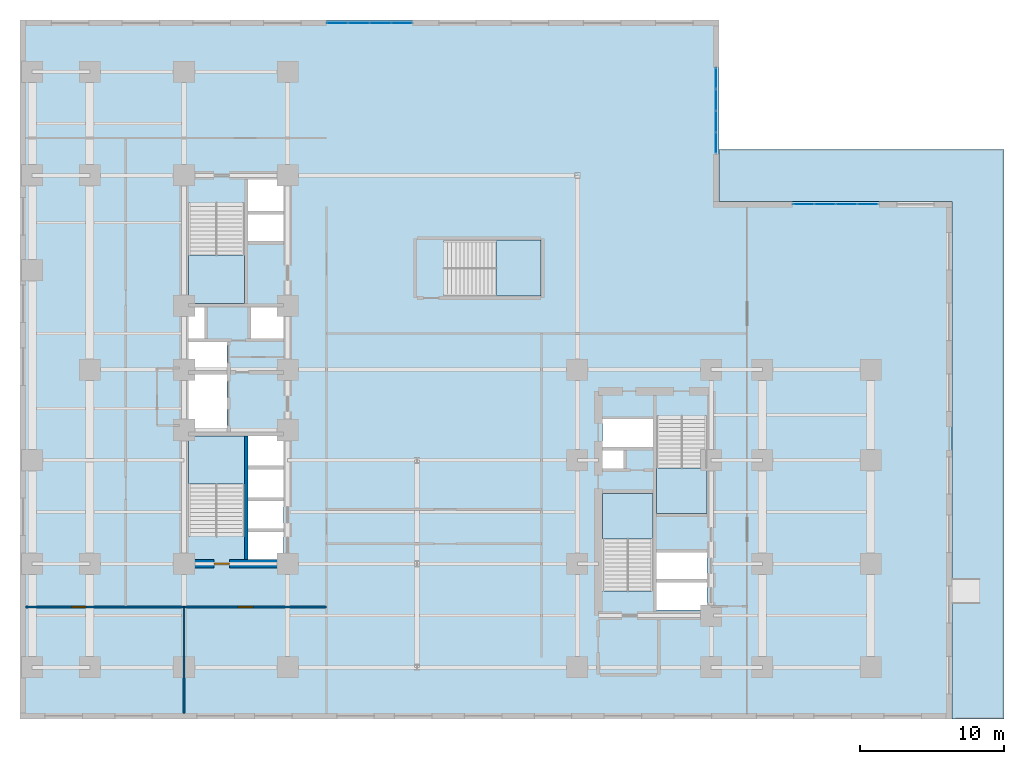
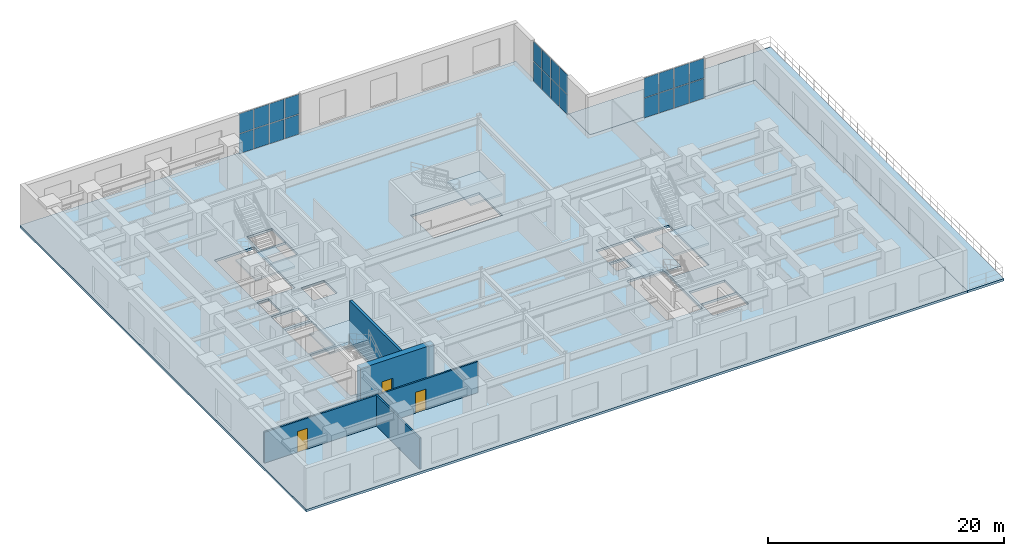
# One storey, part 7 of 15: 24 plates, 7 slabs, 4 walls, 3 doors, 3 openings, 8 elements without a shape of their own.
"""IFC4 building model written with IfcOpenShell, lengths in metres."""

import ifcopenshell
import ifcopenshell.guid

model = None  # the IFC model being written
_history = None  # IfcOwnerHistory: only IFC2X3 demands one
_inside = {}  # id of a spatial element -> (the spatial element, [elements in it])
_under = {}  # id of a project, library or spatial element -> (it, [spatial elements below it])
_declared = {}  # id of a project -> (the project, [libraries it declares])
_typed = {}  # id of a type object -> (the type object, [elements of that type])
_made_of = {}  # id of a material, layer set ... -> (it, [elements and type objects made of it])


def new_model(schema):
    """Start an empty IFC model of exactly this schema.

    Asked for "IFC4X3", IfcOpenShell would pick the latest addendum, in which some entities
    have other attributes; the version numbers below select the first issue.
    IFC2X3 requires an IfcOwnerHistory on every rooted entity: one is made here for all.
    """
    global model, _history
    if schema == "IFC4X3":
        model = ifcopenshell.file(schema_version=(4, 3, 0, 0))
    else:
        model = ifcopenshell.file(schema=schema)
    _inside.clear()
    _under.clear()
    _declared.clear()
    _typed.clear()
    _made_of.clear()
    _history = None
    if model.schema == "IFC2X3":
        org = make("IfcOrganization", Name="unknown")
        user = make(
            "IfcPersonAndOrganization",
            ThePerson=make("IfcPerson", FamilyName="unknown"),
            TheOrganization=org,
        )
        app = make(
            "IfcApplication",
            ApplicationDeveloper=org,
            Version="unknown",
            ApplicationFullName="unknown",
            ApplicationIdentifier="unknown",
        )
        _history = make(
            "IfcOwnerHistory",
            OwningUser=user,
            OwningApplication=app,
            ChangeAction="ADDED",
            CreationDate=0,
        )
    return model


def make(cls, **values):
    """One entity of the class cls with the attributes given. An attribute that is None is left unset."""
    return model.create_entity(
        cls, **{name: value for name, value in values.items() if value is not None}
    )


def entity(cls, *values):
    """Any entity or typed value of the class cls, its attributes in the order of the schema. None: left unset."""
    e = model.create_entity(cls)
    for i, value in enumerate(values):
        if value is not None:
            e[i] = value
    return e


def rooted(cls, **values):
    """An entity with a GlobalId (a new one), such as an element, a storey or a relation."""
    return make(cls, GlobalId=ifcopenshell.guid.new(), OwnerHistory=_history, **values)


def si_unit(unit_type, name, prefix=None):
    """IfcSIUnit, for example si_unit("LENGTHUNIT", "METRE", prefix="MILLI")."""
    return make("IfcSIUnit", UnitType=unit_type, Prefix=prefix, Name=name)


def converted_unit(unit_type, name, factor, base, dimensions=None, offset=None):
    """IfcConversionBasedUnit, such as the inch: factor (a typed value) times the base unit."""
    return make(
        "IfcConversionBasedUnit"
        if offset is None
        else "IfcConversionBasedUnitWithOffset",
        ConversionOffset=offset,
        Dimensions=None
        if dimensions is None
        else entity("IfcDimensionalExponents", *dimensions),
        UnitType=unit_type,
        Name=name,
        ConversionFactor=make(
            "IfcMeasureWithUnit", ValueComponent=factor, UnitComponent=base
        ),
    )


def assignment(units):
    """IfcUnitAssignment: the units of a project."""
    return None if units is None else make("IfcUnitAssignment", Units=units)


def point(xyz):
    """IfcCartesianPoint."""
    return None if xyz is None else make("IfcCartesianPoint", Coordinates=xyz)


def direction(xyz):
    """IfcDirection."""
    return None if xyz is None else make("IfcDirection", DirectionRatios=xyz)


def frame(location, z_axis=None, x_axis=None):
    """IfcAxis2Placement3D, a coordinate frame: its origin and axes. An axis left out is left unset."""
    return make(
        "IfcAxis2Placement3D",
        Location=point(location),
        Axis=direction(z_axis),
        RefDirection=direction(x_axis),
    )


def frame_2d(location, x_axis=None):
    """IfcAxis2Placement2D, a coordinate frame in the plane: its origin and x axis."""
    return make(
        "IfcAxis2Placement2D", Location=point(location), RefDirection=direction(x_axis)
    )


def origin_with_axes():
    """The frame at (0, 0, 0) with the z axis (0, 0, 1) and the x axis (1, 0, 0) written out."""
    return frame((0.0, 0.0, 0.0), z_axis=(0.0, 0.0, 1.0), x_axis=(1.0, 0.0, 0.0))


def origin_2d_with_axis():
    """The frame at (0, 0) in the plane with the x axis (1, 0) written out."""
    return frame_2d((0.0, 0.0), x_axis=(1.0, 0.0))


def place(relative_to, where):
    """IfcLocalPlacement: puts the frame where relative to a parent placement (None: the world)."""
    return make(
        "IfcLocalPlacement", PlacementRelTo=relative_to, RelativePlacement=where
    )


def context(
    kind, dimensions, precision=None, world=None, true_north=None, identifier=None
):
    """IfcGeometricRepresentationContext, for example the 3D "Model" context."""
    return make(
        "IfcGeometricRepresentationContext",
        ContextIdentifier=identifier,
        ContextType=kind,
        CoordinateSpaceDimension=dimensions,
        Precision=precision,
        WorldCoordinateSystem=world,
        TrueNorth=true_north,
    )


def subcontext(parent, identifier, kind, view, scale=None):
    """IfcGeometricRepresentationSubContext, for example "Body" below "Model"."""
    return make(
        "IfcGeometricRepresentationSubContext",
        ContextIdentifier=identifier,
        ContextType=kind,
        ParentContext=parent,
        TargetScale=scale,
        TargetView=view,
    )


def project(units=None, contexts=None):
    """IfcProject with its units and contexts."""
    return rooted(
        "IfcProject",
        Name="project",
        RepresentationContexts=contexts,
        UnitsInContext=assignment(units),
    )


def spatial(cls, under=None, at=None, **own):
    """A site, building, storey or space (cls), placed at a placement, below another one or the project."""
    s = rooted(cls, ObjectPlacement=at, **own)
    if under is not None:
        _under.setdefault(under.id(), (under, []))[1].append(s)
    return s


def polyline(points):
    """IfcPolyline through the points."""
    return make("IfcPolyline", Points=[point(p) for p in points])


def profile(cls, at=None, kind="AREA", **sizes):
    """A parametric profile (cls). Its sizes go by their IFC names, for example OverallWidth=200.0."""
    return make(cls, ProfileType=kind, Position=at, **sizes)


def rectangle(**sizes):
    """IfcRectangleProfileDef."""
    return profile("IfcRectangleProfileDef", **sizes)


def outline(outer, holes=None, kind="AREA"):
    """IfcArbitraryClosedProfileDef: a profile drawn as a closed curve; with holes, ...WithVoids."""
    if holes is None:
        return make("IfcArbitraryClosedProfileDef", ProfileType=kind, OuterCurve=outer)
    return make(
        "IfcArbitraryProfileDefWithVoids",
        ProfileType=kind,
        OuterCurve=outer,
        InnerCurves=holes,
    )


def extrude(swept, where, along, depth):
    """IfcExtrudedAreaSolid: the profile swept, set in the frame where, extruded along a direction by depth."""
    return make(
        "IfcExtrudedAreaSolid",
        SweptArea=swept,
        Position=where,
        ExtrudedDirection=direction(along),
        Depth=depth,
    )


def shape(context_of_items, identifier, shape_type, items):
    """IfcShapeRepresentation: the items that make up one representation, for example the "Body"."""
    return make(
        "IfcShapeRepresentation",
        ContextOfItems=context_of_items,
        RepresentationIdentifier=identifier,
        RepresentationType=shape_type,
        Items=items,
    )


def material(Name=None, Category=None):
    """IfcMaterial."""
    return make("IfcMaterial", Name=Name, Category=Category)


def layer(
    of_material, thickness, ventilated=None, Name=None, Category=None, Priority=None
):
    """IfcMaterialLayer: one layer of a wall or slab, of a material (None: an air gap)."""
    return make(
        "IfcMaterialLayer",
        Material=of_material,
        LayerThickness=thickness,
        IsVentilated=ventilated,
        Name=Name,
        Category=Category,
        Priority=Priority,
    )


def layer_set(layers, Name=None):
    """IfcMaterialLayerSet."""
    return make("IfcMaterialLayerSet", MaterialLayers=layers, LayerSetName=Name)


def made_of(thing, what):
    """Note that an element or type object is made of a material, layer set ...; save() writes the relation."""
    if what is not None:
        _made_of.setdefault(what.id(), (what, []))[1].append(thing)
    return thing


def type_object(cls, material=None, **own):
    """A type object (cls), such as IfcWallType, which elements share."""
    return made_of(rooted(cls, **own), material)


def element(
    cls,
    number,
    at=None,
    inside=None,
    cuts=None,
    type_object=None,
    material=None,
    context=None,
    identifier="Body",
    shape_type=None,
    held_by="IfcProductDefinitionShape",
    body=None,
    shapes=None,
    **own,
):
    """One element of the class cls, such as IfcWall. Its Tag is "e" and its number.

    at: its placement. inside: the storey or other place that contains it. cuts: it is an
    opening in that element (IfcRelVoidsElement). A single representation is given by context,
    identifier, shape_type and body (its items); several are given by shapes. held_by: the class
    of the entity that holds the representations. save() writes the other relations.
    """
    e = rooted(cls, Tag="e%d" % number, ObjectPlacement=at, **own)
    if body is not None:
        shapes = [shape(context, identifier, shape_type, body)]
    if shapes is not None:
        e.Representation = make(held_by, Representations=shapes)
    if inside is not None:
        _inside.setdefault(inside.id(), (inside, []))[1].append(e)
    if cuts is not None:
        rooted(
            "IfcRelVoidsElement", RelatingBuildingElement=cuts, RelatedOpeningElement=e
        )
    if type_object is not None:
        _typed.setdefault(type_object.id(), (type_object, []))[1].append(e)
    return made_of(e, material)


def fill(opening, filler):
    """IfcRelFillsElement: the door or window that sits in an opening."""
    return rooted(
        "IfcRelFillsElement",
        RelatingOpeningElement=opening,
        RelatedBuildingElement=filler,
    )


def aggregate(whole, parts):
    """IfcRelAggregates: a whole, such as a stair, and the parts it consists of."""
    return rooted("IfcRelAggregates", RelatingObject=whole, RelatedObjects=parts)


def save(model, path):
    """Write the relations noted so far, then the file.

    IfcRelAggregates (storeys below a building ...), IfcRelContainedInSpatialStructure (elements
    in a storey), IfcRelDefinesByType, IfcRelAssociatesMaterial and IfcRelDeclares: one each for
    every whole, place, type object, material and project.
    """
    for whole, parts in _under.values():
        aggregate(whole, parts)
    for where, things in _inside.values():
        rooted(
            "IfcRelContainedInSpatialStructure",
            RelatedElements=things,
            RelatingStructure=where,
        )
    for kind, things in _typed.values():
        rooted("IfcRelDefinesByType", RelatedObjects=things, RelatingType=kind)
    for what, things in _made_of.values():
        rooted("IfcRelAssociatesMaterial", RelatedObjects=things, RelatingMaterial=what)
    for by, libraries in _declared.values():
        rooted("IfcRelDeclares", RelatingContext=by, RelatedDefinitions=libraries)
    model.write(path)


model = new_model("IFC4")

# Units and contexts
model_context = context("Model", 3, precision=1e-05, world=origin_with_axes(), true_north=direction((0.0, 1.0)))
body_context = subcontext(model_context, "Body", "Model", "MODEL_VIEW")
ifc_project = project(units=[si_unit("LENGTHUNIT", "METRE"), si_unit("AREAUNIT", "SQUARE_METRE"), si_unit("VOLUMEUNIT", "CUBIC_METRE"), converted_unit("PLANEANGLEUNIT", "DEGREE", entity("IfcPlaneAngleMeasure", 0.017453292519943295), si_unit("PLANEANGLEUNIT", "RADIAN"), dimensions=[0, 0, 0, 0, 0, 0, 0]), si_unit("MASSUNIT", "GRAM", prefix="KILO"), si_unit("THERMODYNAMICTEMPERATUREUNIT", "KELVIN")], contexts=[model_context])

# Site, building, storey
site_placement = place(None, origin_with_axes())
site = spatial("IfcSite", under=ifc_project, at=site_placement, CompositionType="ELEMENT")
building_placement = place(site_placement, origin_with_axes())
building = spatial("IfcBuilding", under=site, at=building_placement, Name="Varnlund Millrace Tower", CompositionType="ELEMENT")
storey_placement = place(building_placement, frame((0.0, 0.0, 19.8), z_axis=(0.0, 0.0, 1.0), x_axis=(1.0, 0.0, 0.0)))
storey = spatial("IfcBuildingStorey", under=building, at=storey_placement, Name="L04", CompositionType="ELEMENT", Elevation=19.8)

# Curtain wall, plates
ifc_material_1 = material(Name="Thermally broken architectural bronze curtain wall", Category="aluminium")
curtain_wall_type = type_object("IfcCurtainWallType", Name="Type-CW-Sys4-SkyLobby1", PredefinedType="NOTDEFINED", material=ifc_material_1)
curtain_wall_1_placement = place(storey_placement, frame((53.7, 35.79, 0.0), z_axis=(0.0, 0.0, 1.0), x_axis=(1.0, 0.0, 0.0)))
curtain_wall_1 = element("IfcCurtainWall", 1, at=curtain_wall_1_placement, inside=storey, type_object=curtain_wall_type, Name="Type-CW-Sys4-SkyLobby1", PredefinedType="NOTDEFINED")
ifc_material_2 = material(Name="Low-e argon triple-glazed curtain-wall unit", Category="glass")
ifc_layer_1 = layer(ifc_material_2, 0.028, Name="Low-e argon triple-glazed curtain-wall unit")
ifc_layer_set_1 = layer_set([ifc_layer_1], Name="Low-e argon triple-glazed curtain-wall unit")
plate_type = type_object("IfcPlateType", Name="Type-CW-Panel-TripleGlazed-28", PredefinedType="CURTAIN_PANEL", material=ifc_layer_set_1)
plate_1_placement = place(storey_placement, frame((54.465, 35.79, 0.06), z_axis=(0.0, 0.0, 1.0), x_axis=(1.0, 0.0, 0.0)))
plate_1 = element("IfcPlate", 2, at=plate_1_placement, type_object=plate_type, Name="CW-04 panel 1.1", PredefinedType="CURTAIN_PANEL", context=body_context, shape_type="SweptSolid", body=[
    extrude(rectangle(XDim=1.41, YDim=0.028, at=origin_2d_with_axis()), origin_with_axes(), (0.0, 0.0, 1.0), 2.04),
])
plate_2_placement = place(storey_placement, frame((54.465, 35.79, 2.16), z_axis=(0.0, 0.0, 1.0), x_axis=(1.0, 0.0, 0.0)))
plate_2 = element("IfcPlate", 3, at=plate_2_placement, type_object=plate_type, Name="CW-04 panel 1.2", PredefinedType="CURTAIN_PANEL", context=body_context, shape_type="SweptSolid", body=[
    extrude(rectangle(XDim=1.41, YDim=0.028, at=origin_2d_with_axis()), origin_with_axes(), (0.0, 0.0, 1.0), 2.04),
])
plate_3_placement = place(storey_placement, frame((55.95, 35.79, 0.06), z_axis=(0.0, 0.0, 1.0), x_axis=(1.0, 0.0, 0.0)))
plate_3 = element("IfcPlate", 4, at=plate_3_placement, type_object=plate_type, Name="CW-04 panel 2.1", PredefinedType="CURTAIN_PANEL", context=body_context, shape_type="SweptSolid", body=[
    extrude(rectangle(XDim=1.44, YDim=0.028, at=origin_2d_with_axis()), origin_with_axes(), (0.0, 0.0, 1.0), 2.04),
])
plate_4_placement = place(storey_placement, frame((55.95, 35.79, 2.16), z_axis=(0.0, 0.0, 1.0), x_axis=(1.0, 0.0, 0.0)))
plate_4 = element("IfcPlate", 5, at=plate_4_placement, type_object=plate_type, Name="CW-04 panel 2.2", PredefinedType="CURTAIN_PANEL", context=body_context, shape_type="SweptSolid", body=[
    extrude(rectangle(XDim=1.44, YDim=0.028, at=origin_2d_with_axis()), origin_with_axes(), (0.0, 0.0, 1.0), 2.04),
])
plate_5_placement = place(storey_placement, frame((57.45, 35.79, 0.06), z_axis=(0.0, 0.0, 1.0), x_axis=(1.0, 0.0, 0.0)))
plate_5 = element("IfcPlate", 6, at=plate_5_placement, type_object=plate_type, Name="CW-04 panel 3.1", PredefinedType="CURTAIN_PANEL", context=body_context, shape_type="SweptSolid", body=[
    extrude(rectangle(XDim=1.44, YDim=0.028, at=origin_2d_with_axis()), origin_with_axes(), (0.0, 0.0, 1.0), 2.04),
])
plate_6_placement = place(storey_placement, frame((57.45, 35.79, 2.16), z_axis=(0.0, 0.0, 1.0), x_axis=(1.0, 0.0, 0.0)))
plate_6 = element("IfcPlate", 7, at=plate_6_placement, type_object=plate_type, Name="CW-04 panel 3.2", PredefinedType="CURTAIN_PANEL", context=body_context, shape_type="SweptSolid", body=[
    extrude(rectangle(XDim=1.44, YDim=0.028, at=origin_2d_with_axis()), origin_with_axes(), (0.0, 0.0, 1.0), 2.04),
])
plate_7_placement = place(storey_placement, frame((58.935, 35.79, 0.06), z_axis=(0.0, 0.0, 1.0), x_axis=(1.0, 0.0, 0.0)))
plate_7 = element("IfcPlate", 8, at=plate_7_placement, type_object=plate_type, Name="CW-04 panel 4.1", PredefinedType="CURTAIN_PANEL", context=body_context, shape_type="SweptSolid", body=[
    extrude(rectangle(XDim=1.41, YDim=0.028, at=origin_2d_with_axis()), origin_with_axes(), (0.0, 0.0, 1.0), 2.04),
])
plate_8_placement = place(storey_placement, frame((58.935, 35.79, 2.16), z_axis=(0.0, 0.0, 1.0), x_axis=(1.0, 0.0, 0.0)))
plate_8 = element("IfcPlate", 9, at=plate_8_placement, type_object=plate_type, Name="CW-04 panel 4.2", PredefinedType="CURTAIN_PANEL", context=body_context, shape_type="SweptSolid", body=[
    extrude(rectangle(XDim=1.41, YDim=0.028, at=origin_2d_with_axis()), origin_with_axes(), (0.0, 0.0, 1.0), 2.04),
])
aggregate(curtain_wall_1, [plate_1, plate_2, plate_3, plate_4, plate_5, plate_6, plate_7, plate_8])

curtain_wall_2_placement = place(storey_placement, frame((48.39, 45.3, 0.0), z_axis=(0.0, 0.0, 1.0), x_axis=(1.0, 0.0, 0.0)))
curtain_wall_2 = element("IfcCurtainWall", 10, at=curtain_wall_2_placement, inside=storey, type_object=curtain_wall_type, Name="Type-CW-Sys4-SkyLobby1", PredefinedType="NOTDEFINED")
plate_9_placement = place(storey_placement, frame((48.39, 44.535, 0.06), z_axis=(0.0, 0.0, 1.0), x_axis=(0.0, -1.0, 0.0)))
plate_9 = element("IfcPlate", 11, at=plate_9_placement, type_object=plate_type, Name="CW-04 panel 1.1", PredefinedType="CURTAIN_PANEL", context=body_context, shape_type="SweptSolid", body=[
    extrude(rectangle(XDim=1.41, YDim=0.028, at=origin_2d_with_axis()), origin_with_axes(), (0.0, 0.0, 1.0), 2.04),
])
plate_10_placement = place(storey_placement, frame((48.39, 44.535, 2.16), z_axis=(0.0, 0.0, 1.0), x_axis=(0.0, -1.0, 0.0)))
plate_10 = element("IfcPlate", 12, at=plate_10_placement, type_object=plate_type, Name="CW-04 panel 1.2", PredefinedType="CURTAIN_PANEL", context=body_context, shape_type="SweptSolid", body=[
    extrude(rectangle(XDim=1.41, YDim=0.028, at=origin_2d_with_axis()), origin_with_axes(), (0.0, 0.0, 1.0), 2.04),
])
plate_11_placement = place(storey_placement, frame((48.39, 43.05, 0.06), z_axis=(0.0, 0.0, 1.0), x_axis=(0.0, -1.0, 0.0)))
plate_11 = element("IfcPlate", 13, at=plate_11_placement, type_object=plate_type, Name="CW-04 panel 2.1", PredefinedType="CURTAIN_PANEL", context=body_context, shape_type="SweptSolid", body=[
    extrude(rectangle(XDim=1.44, YDim=0.028, at=origin_2d_with_axis()), origin_with_axes(), (0.0, 0.0, 1.0), 2.04),
])
plate_12_placement = place(storey_placement, frame((48.39, 43.05, 2.16), z_axis=(0.0, 0.0, 1.0), x_axis=(0.0, -1.0, 0.0)))
plate_12 = element("IfcPlate", 14, at=plate_12_placement, type_object=plate_type, Name="CW-04 panel 2.2", PredefinedType="CURTAIN_PANEL", context=body_context, shape_type="SweptSolid", body=[
    extrude(rectangle(XDim=1.44, YDim=0.028, at=origin_2d_with_axis()), origin_with_axes(), (0.0, 0.0, 1.0), 2.04),
])
plate_13_placement = place(storey_placement, frame((48.39, 41.55, 0.06), z_axis=(0.0, 0.0, 1.0), x_axis=(0.0, -1.0, 0.0)))
plate_13 = element("IfcPlate", 15, at=plate_13_placement, type_object=plate_type, Name="CW-04 panel 3.1", PredefinedType="CURTAIN_PANEL", context=body_context, shape_type="SweptSolid", body=[
    extrude(rectangle(XDim=1.44, YDim=0.028, at=origin_2d_with_axis()), origin_with_axes(), (0.0, 0.0, 1.0), 2.04),
])
plate_14_placement = place(storey_placement, frame((48.39, 41.55, 2.16), z_axis=(0.0, 0.0, 1.0), x_axis=(0.0, -1.0, 0.0)))
plate_14 = element("IfcPlate", 16, at=plate_14_placement, type_object=plate_type, Name="CW-04 panel 3.2", PredefinedType="CURTAIN_PANEL", context=body_context, shape_type="SweptSolid", body=[
    extrude(rectangle(XDim=1.44, YDim=0.028, at=origin_2d_with_axis()), origin_with_axes(), (0.0, 0.0, 1.0), 2.04),
])
plate_15_placement = place(storey_placement, frame((48.39, 40.065, 0.06), z_axis=(0.0, 0.0, 1.0), x_axis=(0.0, -1.0, 0.0)))
plate_15 = element("IfcPlate", 17, at=plate_15_placement, type_object=plate_type, Name="CW-04 panel 4.1", PredefinedType="CURTAIN_PANEL", context=body_context, shape_type="SweptSolid", body=[
    extrude(rectangle(XDim=1.41, YDim=0.028, at=origin_2d_with_axis()), origin_with_axes(), (0.0, 0.0, 1.0), 2.04),
])
plate_16_placement = place(storey_placement, frame((48.39, 40.065, 2.16), z_axis=(0.0, 0.0, 1.0), x_axis=(0.0, -1.0, 0.0)))
plate_16 = element("IfcPlate", 18, at=plate_16_placement, type_object=plate_type, Name="CW-04 panel 4.2", PredefinedType="CURTAIN_PANEL", context=body_context, shape_type="SweptSolid", body=[
    extrude(rectangle(XDim=1.41, YDim=0.028, at=origin_2d_with_axis()), origin_with_axes(), (0.0, 0.0, 1.0), 2.04),
])
aggregate(curtain_wall_2, [plate_9, plate_10, plate_11, plate_12, plate_13, plate_14, plate_15, plate_16])

curtain_wall_3_placement = place(storey_placement, frame((21.3, 48.39, 0.0), z_axis=(0.0, 0.0, 1.0), x_axis=(1.0, 0.0, 0.0)))
curtain_wall_3 = element("IfcCurtainWall", 19, at=curtain_wall_3_placement, inside=storey, type_object=curtain_wall_type, Name="Type-CW-Sys4-SkyLobby1", PredefinedType="NOTDEFINED")
plate_17_placement = place(storey_placement, frame((22.065, 48.39, 0.06), z_axis=(0.0, 0.0, 1.0), x_axis=(1.0, 0.0, 0.0)))
plate_17 = element("IfcPlate", 20, at=plate_17_placement, type_object=plate_type, Name="CW-04 panel 1.1", PredefinedType="CURTAIN_PANEL", context=body_context, shape_type="SweptSolid", body=[
    extrude(rectangle(XDim=1.41, YDim=0.028, at=origin_2d_with_axis()), origin_with_axes(), (0.0, 0.0, 1.0), 2.04),
])
plate_18_placement = place(storey_placement, frame((22.065, 48.39, 2.16), z_axis=(0.0, 0.0, 1.0), x_axis=(1.0, 0.0, 0.0)))
plate_18 = element("IfcPlate", 21, at=plate_18_placement, type_object=plate_type, Name="CW-04 panel 1.2", PredefinedType="CURTAIN_PANEL", context=body_context, shape_type="SweptSolid", body=[
    extrude(rectangle(XDim=1.41, YDim=0.028, at=origin_2d_with_axis()), origin_with_axes(), (0.0, 0.0, 1.0), 2.04),
])
plate_19_placement = place(storey_placement, frame((23.55, 48.39, 0.06), z_axis=(0.0, 0.0, 1.0), x_axis=(1.0, 0.0, 0.0)))
plate_19 = element("IfcPlate", 22, at=plate_19_placement, type_object=plate_type, Name="CW-04 panel 2.1", PredefinedType="CURTAIN_PANEL", context=body_context, shape_type="SweptSolid", body=[
    extrude(rectangle(XDim=1.44, YDim=0.028, at=origin_2d_with_axis()), origin_with_axes(), (0.0, 0.0, 1.0), 2.04),
])
plate_20_placement = place(storey_placement, frame((23.55, 48.39, 2.16), z_axis=(0.0, 0.0, 1.0), x_axis=(1.0, 0.0, 0.0)))
plate_20 = element("IfcPlate", 23, at=plate_20_placement, type_object=plate_type, Name="CW-04 panel 2.2", PredefinedType="CURTAIN_PANEL", context=body_context, shape_type="SweptSolid", body=[
    extrude(rectangle(XDim=1.44, YDim=0.028, at=origin_2d_with_axis()), origin_with_axes(), (0.0, 0.0, 1.0), 2.04),
])
plate_21_placement = place(storey_placement, frame((25.05, 48.39, 0.06), z_axis=(0.0, 0.0, 1.0), x_axis=(1.0, 0.0, 0.0)))
plate_21 = element("IfcPlate", 24, at=plate_21_placement, type_object=plate_type, Name="CW-04 panel 3.1", PredefinedType="CURTAIN_PANEL", context=body_context, shape_type="SweptSolid", body=[
    extrude(rectangle(XDim=1.44, YDim=0.028, at=origin_2d_with_axis()), origin_with_axes(), (0.0, 0.0, 1.0), 2.04),
])
plate_22_placement = place(storey_placement, frame((25.05, 48.39, 2.16), z_axis=(0.0, 0.0, 1.0), x_axis=(1.0, 0.0, 0.0)))
plate_22 = element("IfcPlate", 25, at=plate_22_placement, type_object=plate_type, Name="CW-04 panel 3.2", PredefinedType="CURTAIN_PANEL", context=body_context, shape_type="SweptSolid", body=[
    extrude(rectangle(XDim=1.44, YDim=0.028, at=origin_2d_with_axis()), origin_with_axes(), (0.0, 0.0, 1.0), 2.04),
])
plate_23_placement = place(storey_placement, frame((26.535, 48.39, 0.06), z_axis=(0.0, 0.0, 1.0), x_axis=(1.0, 0.0, 0.0)))
plate_23 = element("IfcPlate", 26, at=plate_23_placement, type_object=plate_type, Name="CW-04 panel 4.1", PredefinedType="CURTAIN_PANEL", context=body_context, shape_type="SweptSolid", body=[
    extrude(rectangle(XDim=1.41, YDim=0.028, at=origin_2d_with_axis()), origin_with_axes(), (0.0, 0.0, 1.0), 2.04),
])
plate_24_placement = place(storey_placement, frame((26.535, 48.39, 2.16), z_axis=(0.0, 0.0, 1.0), x_axis=(1.0, 0.0, 0.0)))
plate_24 = element("IfcPlate", 27, at=plate_24_placement, type_object=plate_type, Name="CW-04 panel 4.2", PredefinedType="CURTAIN_PANEL", context=body_context, shape_type="SweptSolid", body=[
    extrude(rectangle(XDim=1.41, YDim=0.028, at=origin_2d_with_axis()), origin_with_axes(), (0.0, 0.0, 1.0), 2.04),
])
aggregate(curtain_wall_3, [plate_17, plate_18, plate_19, plate_20, plate_21, plate_22, plate_23, plate_24])

# Slabs
ifc_material_3 = material(Name="Concrete C50/60", Category="concrete")
ifc_layer_2 = layer(ifc_material_3, 0.24, Name="Concrete C50/60")
ifc_layer_set_2 = layer_set([ifc_layer_2], Name="Concrete C50/60")
slab_type_1 = type_object("IfcSlabType", Name="Type-Cap-Deck-Podium-240", PredefinedType="ROOF", material=ifc_layer_set_2)
slab_1_placement = place(storey_placement, frame((0.0, 0.0, -0.24), z_axis=(0.0, 0.0, 1.0), x_axis=(1.0, 0.0, 0.0)))
element("IfcSlab", 28, at=slab_1_placement, inside=storey, type_object=slab_type_1, Name="Roof terrace", PredefinedType="ROOF", context=body_context, shape_type="SweptSolid", body=[
    extrude(outline(polyline([(68.4, 0.0), (68.4, 39.6), (48.6, 39.6), (48.6, 36.0), (64.8, 36.0), (64.8, 0.0), (68.4, 0.0)])), origin_with_axes(), (0.0, 0.0, 1.0), 0.24),
])
ifc_material_4 = material(Name="Concrete C60/75", Category="concrete")
ifc_layer_3 = layer(ifc_material_4, 0.24, Name="Concrete C60/75")
ifc_layer_set_3 = layer_set([ifc_layer_3], Name="Concrete C60/75")
slab_type_2 = type_object("IfcSlabType", Name="Type-Deck-Plate-Typical-240", PredefinedType="FLOOR", material=ifc_layer_set_3)
slab_2_placement = place(storey_placement, frame((0.0, 0.0, -0.24), z_axis=(0.0, 0.0, 1.0), x_axis=(1.0, 0.0, 0.0)))
element("IfcSlab", 29, at=slab_2_placement, inside=storey, type_object=slab_type_2, Name="Type-Deck-Plate-Typical-240", PredefinedType="FLOOR", context=body_context, shape_type="SweptSolid", body=[
    extrude(outline(polyline([(64.8, 36.0), (48.6, 36.0), (48.6, 48.6), (0.0, 48.6), (0.0, 0.0), (64.8, 0.0), (64.8, 36.0)]), holes=[polyline([(18.3, 11.1), (15.84, 11.1), (15.84, 13.1), (18.3, 13.1), (18.3, 11.1)]), polyline([(18.3, 13.16), (15.84, 13.16), (15.84, 15.24), (18.3, 15.24), (18.3, 13.16)]), polyline([(15.6, 12.715), (11.7, 12.715), (11.7, 19.7), (15.6, 19.7), (15.6, 12.715)]), polyline([(15.84, 15.34), (15.84, 17.46), (18.3, 17.46), (18.3, 15.34), (15.84, 15.34)]), polyline([(15.84, 17.52), (15.84, 19.7), (18.3, 19.7), (18.3, 17.52), (15.84, 17.52)]), polyline([(11.7, 23.98), (14.38, 23.98), (14.38, 19.94), (11.7, 19.94), (11.7, 23.98)]), polyline([(14.38, 24.24), (11.7, 24.24), (11.7, 26.2), (14.38, 26.2), (14.38, 24.24)]), polyline([(11.7, 26.46), (11.7, 28.65), (12.84, 28.65), (12.84, 26.46), (11.7, 26.46)]), polyline([(11.7, 28.9), (11.7, 35.885), (15.6, 35.885), (15.6, 28.9), (11.7, 28.9)]), polyline([(47.75, 7.6), (44.25, 7.6), (44.25, 9.6), (47.75, 9.6), (47.75, 7.6)]), polyline([(47.75, 9.66), (44.25, 9.66), (44.25, 11.68), (47.75, 11.68), (47.75, 9.66)]), polyline([(44.0, 8.915), (40.5, 8.915), (40.5, 15.7), (44.0, 15.7), (44.0, 8.915)]), polyline([(44.25, 14.3), (44.25, 21.085), (47.75, 21.085), (47.75, 14.3), (44.25, 14.3)]), polyline([(40.5, 17.42), (40.5, 18.72), (41.95, 18.72), (41.95, 17.42), (40.5, 17.42)]), polyline([(44.0, 18.88), (40.5, 18.88), (40.5, 20.94), (44.0, 20.94), (44.0, 18.88)]), polyline([(18.3, 26.46), (16.04, 26.46), (16.04, 28.65), (18.3, 28.65), (18.3, 26.46)]), polyline([(36.2, 29.4), (29.465, 29.4), (29.465, 33.3), (36.2, 33.3), (36.2, 29.4)]), polyline([(15.84, 33.12), (15.84, 35.18), (18.3, 35.18), (18.3, 33.12), (15.84, 33.12)]), polyline([(15.84, 35.22), (15.84, 37.5), (18.3, 37.5), (18.3, 35.22), (15.84, 35.22)])]), origin_with_axes(), (0.0, 0.0, 1.0), 0.24),
])

# Stair, slab
stair_type_1 = type_object("IfcStairType", Name="Type-Stair-Dogleg-185-450", PredefinedType="HALF_TURN_STAIR", material=ifc_material_3)
stair_1_placement = place(storey_placement, origin_with_axes())
stair_1 = element("IfcStair", 30, at=stair_1_placement, inside=storey, type_object=stair_type_1, Name="Type-Stair-Dogleg-185-450", PredefinedType="HALF_TURN_STAIR")
ifc_layer_4 = layer(ifc_material_3, 0.2, Name="Concrete C50/60")
ifc_layer_set_4 = layer_set([ifc_layer_4], Name="Concrete C50/60")
slab_type_3 = type_object("IfcSlabType", Name="Type-StairLanding-200", PredefinedType="LANDING", material=ifc_layer_set_4)
slab_3_placement = place(storey_placement, frame((0.0, 0.0, 2.05), z_axis=(0.0, 0.0, 1.0), x_axis=(1.0, 0.0, 0.0)))
slab_3 = element("IfcSlab", 31, at=slab_3_placement, type_object=slab_type_3, Name="ST-A1 landing 1", PredefinedType="LANDING", context=body_context, shape_type="SweptSolid", body=[
    extrude(outline(polyline([(15.6, 16.34), (15.6, 19.7), (11.7, 19.7), (11.7, 16.34), (15.6, 16.34)])), origin_with_axes(), (0.0, 0.0, 1.0), 0.2),
])
aggregate(stair_1, [slab_3])

stair_2_placement = place(storey_placement, origin_with_axes())
stair_2 = element("IfcStair", 32, at=stair_2_placement, inside=storey, type_object=stair_type_1, Name="Type-Stair-Dogleg-185-450", PredefinedType="HALF_TURN_STAIR")
slab_4_placement = place(storey_placement, frame((0.0, 0.0, 2.05), z_axis=(0.0, 0.0, 1.0), x_axis=(1.0, 0.0, 0.0)))
slab_4 = element("IfcSlab", 33, at=slab_4_placement, type_object=slab_type_3, Name="ST-A2 landing 1", PredefinedType="LANDING", context=body_context, shape_type="SweptSolid", body=[
    extrude(outline(polyline([(11.7, 32.26), (11.7, 28.9), (15.6, 28.9), (15.6, 32.26), (11.7, 32.26)])), origin_with_axes(), (0.0, 0.0, 1.0), 0.2),
])
aggregate(stair_2, [slab_4])

stair_type_2 = type_object("IfcStairType", Name="Type-Stair-Dogleg-165-450", PredefinedType="HALF_TURN_STAIR", material=ifc_material_3)
stair_3_placement = place(storey_placement, origin_with_axes())
stair_3 = element("IfcStair", 34, at=stair_3_placement, inside=storey, type_object=stair_type_2, Name="Type-Stair-Dogleg-165-450", PredefinedType="HALF_TURN_STAIR")
slab_5_placement = place(storey_placement, frame((0.0, 0.0, 2.05), z_axis=(0.0, 0.0, 1.0), x_axis=(1.0, 0.0, 0.0)))
slab_5 = element("IfcSlab", 35, at=slab_5_placement, type_object=slab_type_3, Name="ST-B1 landing 1", PredefinedType="LANDING", context=body_context, shape_type="SweptSolid", body=[
    extrude(outline(polyline([(44.0, 12.54), (44.0, 15.7), (40.5, 15.7), (40.5, 12.54), (44.0, 12.54)])), origin_with_axes(), (0.0, 0.0, 1.0), 0.2),
])
aggregate(stair_3, [slab_5])

stair_4_placement = place(storey_placement, origin_with_axes())
stair_4 = element("IfcStair", 36, at=stair_4_placement, inside=storey, type_object=stair_type_2, Name="Type-Stair-Dogleg-165-450", PredefinedType="HALF_TURN_STAIR")
slab_6_placement = place(storey_placement, frame((0.0, 0.0, 2.05), z_axis=(0.0, 0.0, 1.0), x_axis=(1.0, 0.0, 0.0)))
slab_6 = element("IfcSlab", 37, at=slab_6_placement, type_object=slab_type_3, Name="ST-B2 landing 1", PredefinedType="LANDING", context=body_context, shape_type="SweptSolid", body=[
    extrude(outline(polyline([(44.25, 17.46), (44.25, 14.3), (47.75, 14.3), (47.75, 17.46), (44.25, 17.46)])), origin_with_axes(), (0.0, 0.0, 1.0), 0.2),
])
aggregate(stair_4, [slab_6])

stair_5_placement = place(storey_placement, origin_with_axes())
stair_5 = element("IfcStair", 38, at=stair_5_placement, inside=storey, type_object=stair_type_1, Name="Type-Stair-Dogleg-185-450", PredefinedType="HALF_TURN_STAIR")
slab_7_placement = place(storey_placement, frame((0.0, 0.0, 2.05), z_axis=(0.0, 0.0, 1.0), x_axis=(1.0, 0.0, 0.0)))
slab_7 = element("IfcSlab", 39, at=slab_7_placement, type_object=slab_type_3, Name="ST-P1 landing 1", PredefinedType="LANDING", context=body_context, shape_type="SweptSolid", body=[
    extrude(outline(polyline([(33.09, 29.4), (36.2, 29.4), (36.2, 33.3), (33.09, 33.3), (33.09, 29.4)])), origin_with_axes(), (0.0, 0.0, 1.0), 0.2),
])
aggregate(stair_5, [slab_7])

# Wall, opening, door
ifc_material_5 = material(Name="Concrete C80/95", Category="concrete")
ifc_layer_5 = layer(ifc_material_5, 0.6, Name="Concrete C80/95")
ifc_layer_set_5 = layer_set([ifc_layer_5], Name="Concrete C80/95")
wall_type_1 = type_object("IfcWallType", Name="Type-CoreWall-Shear-600-C80", PredefinedType="SHEAR", material=ifc_layer_set_5)
wall_1_placement = place(storey_placement, frame((11.4, 10.8, 0.0), z_axis=(0.0, 0.0, 1.0), x_axis=(1.0, 0.0, 0.0)))
wall_1 = element("IfcWall", 40, at=wall_1_placement, inside=storey, type_object=wall_type_1, Name="Type-CoreWall-Shear-600-C80", PredefinedType="SHEAR", context=body_context, shape_type="SweptSolid", body=[
    extrude(outline(polyline([(0.0, -0.3), (7.2, -0.3), (7.2, 0.3), (0.0, 0.3), (0.0, -0.3)])), origin_with_axes(), (0.0, 0.0, 1.0), 4.26),
])
opening_1_placement = place(wall_1_placement, frame((2.625, 0.0, 0.0), z_axis=(0.0, 0.0, 1.0), x_axis=(1.0, 0.0, 0.0)))
opening_1 = element("IfcOpeningElement", 41, at=opening_1_placement, cuts=wall_1, Name="Opening L04:DR-STA1", PredefinedType="OPENING", context=body_context, shape_type="SweptSolid", body=[
    extrude(rectangle(XDim=1.05, YDim=0.62, at=origin_2d_with_axis()), origin_with_axes(), (0.0, 0.0, 1.0), 2.15),
])
ifc_material_6 = material(Name="Fire-rated hollow steel door", Category="steel")
door_type_1 = type_object("IfcDoorType", Name="Type-FireDoor-Stair-1050X2150", OperationType="NOTDEFINED", PredefinedType="DOOR", material=ifc_material_6)
door_1_placement = place(wall_1_placement, frame((2.625, 0.0, 0.0), z_axis=(0.0, 0.0, 1.0), x_axis=(1.0, 0.0, 0.0)))
door_1 = element("IfcDoor", 42, at=door_1_placement, inside=storey, type_object=door_type_1, Name="Type-FireDoor-Stair-1050X2150", OperationType="SINGLE_SWING_LEFT", OverallHeight=2.15, OverallWidth=1.05, PredefinedType="DOOR", context=body_context, shape_type="SweptSolid", body=[
    extrude(rectangle(XDim=1.05, YDim=0.09, at=origin_2d_with_axis()), origin_with_axes(), (0.0, 0.0, 1.0), 2.15),
])
fill(opening_1, door_1)

# Wall, openings, doors
ifc_material_7 = material(Name="Fire-rated gypsum board on cold-formed steel framing", Category="steel")
ifc_layer_6 = layer(ifc_material_7, 0.16, Name="Fire-rated gypsum board on cold-formed steel framing")
ifc_layer_set_6 = layer_set([ifc_layer_6], Name="Fire-rated gypsum board on cold-formed steel framing")
wall_type_2 = type_object("IfcWallType", Name="Type-Partition-Corridor-160", PredefinedType="PARTITIONING", material=ifc_layer_set_6)
wall_2_placement = place(storey_placement, frame((0.38, 7.8, 0.0), z_axis=(0.0, 0.0, 1.0), x_axis=(1.0, 0.0, 0.0)))
wall_2 = element("IfcWall", 43, at=wall_2_placement, inside=storey, type_object=wall_type_2, Name="Type-Partition-Corridor-160", PredefinedType="PARTITIONING", context=body_context, shape_type="SweptSolid", body=[
    extrude(outline(polyline([(0.0, -0.08), (20.92, -0.08), (20.92, 0.08), (0.0, 0.08), (0.0, -0.08)])), origin_with_axes(), (0.0, 0.0, 1.0), 3.2),
])
opening_2_placement = place(wall_2_placement, frame((3.7, 0.0, 0.0), z_axis=(0.0, 0.0, 1.0), x_axis=(1.0, 0.0, 0.0)))
opening_2 = element("IfcOpeningElement", 44, at=opening_2_placement, cuts=wall_2, Name="Opening L04:DR-POD-SW1", PredefinedType="OPENING", context=body_context, shape_type="SweptSolid", body=[
    extrude(rectangle(XDim=1.0, YDim=0.18, at=origin_2d_with_axis()), origin_with_axes(), (0.0, 0.0, 1.0), 2.15),
])
opening_3_placement = place(wall_2_placement, frame((15.3, 0.0, 0.0), z_axis=(0.0, 0.0, 1.0), x_axis=(1.0, 0.0, 0.0)))
opening_3 = element("IfcOpeningElement", 45, at=opening_3_placement, cuts=wall_2, Name="Opening L04:DR-POD-SW2", PredefinedType="OPENING", context=body_context, shape_type="SweptSolid", body=[
    extrude(rectangle(XDim=1.0, YDim=0.18, at=origin_2d_with_axis()), origin_with_axes(), (0.0, 0.0, 1.0), 2.15),
])
ifc_material_8 = material(Name="Solid-core white oak and bronze frame door")
door_type_2 = type_object("IfcDoorType", Name="Type-IntDoor-Office-1000X2150", OperationType="NOTDEFINED", PredefinedType="DOOR", material=ifc_material_8)
door_2_placement = place(wall_2_placement, frame((3.7, 0.0, 0.0), z_axis=(0.0, 0.0, 1.0), x_axis=(1.0, 0.0, 0.0)))
door_2 = element("IfcDoor", 46, at=door_2_placement, inside=storey, type_object=door_type_2, Name="Type-IntDoor-Office-1000X2150", OperationType="SINGLE_SWING_LEFT", OverallHeight=2.15, OverallWidth=1.0, PredefinedType="DOOR", context=body_context, shape_type="SweptSolid", body=[
    extrude(rectangle(XDim=1.0, YDim=0.09, at=origin_2d_with_axis()), origin_with_axes(), (0.0, 0.0, 1.0), 2.15),
])
fill(opening_2, door_2)
door_3_placement = place(wall_2_placement, frame((15.3, 0.0, 0.0), z_axis=(0.0, 0.0, 1.0), x_axis=(1.0, 0.0, 0.0)))
door_3 = element("IfcDoor", 47, at=door_3_placement, inside=storey, type_object=door_type_2, Name="Type-IntDoor-Office-1000X2150", OperationType="SINGLE_SWING_RIGHT", OverallHeight=2.15, OverallWidth=1.0, PredefinedType="DOOR", context=body_context, shape_type="SweptSolid", body=[
    extrude(rectangle(XDim=1.0, YDim=0.09, at=origin_2d_with_axis()), origin_with_axes(), (0.0, 0.0, 1.0), 2.15),
])
fill(opening_3, door_3)

# Walls
ifc_material_9 = material(Name="Acoustic STC-50 gypsum board partition", Category="gypsum")
ifc_layer_7 = layer(ifc_material_9, 0.15, Name="Acoustic STC-50 gypsum board partition")
ifc_layer_set_7 = layer_set([ifc_layer_7], Name="Acoustic STC-50 gypsum board partition")
wall_type_3 = type_object("IfcWallType", Name="Type-Partition-Demising-150", PredefinedType="PARTITIONING", material=ifc_layer_set_7)
wall_3_placement = place(storey_placement, frame((11.4, 0.38, 0.0), z_axis=(0.0, 0.0, 1.0), x_axis=(0.0, 1.0, 0.0)))
element("IfcWall", 48, at=wall_3_placement, inside=storey, type_object=wall_type_3, Name="Type-Partition-Demising-150", PredefinedType="PARTITIONING", context=body_context, shape_type="SweptSolid", body=[
    extrude(outline(polyline([(0.0, -0.075), (7.42, -0.075), (7.42, 0.075), (0.0, 0.075), (0.0, -0.075)])), origin_with_axes(), (0.0, 0.0, 1.0), 3.2),
])
ifc_layer_8 = layer(ifc_material_4, 0.25, Name="Concrete C60/75")
ifc_layer_set_8 = layer_set([ifc_layer_8], Name="Concrete C60/75")
wall_type_4 = type_object("IfcWallType", Name="Type-StairWall-Shear-250", PredefinedType="SHEAR", material=ifc_layer_set_8)
wall_4_placement = place(storey_placement, frame((15.725, 11.1, 0.0), z_axis=(0.0, 0.0, 1.0), x_axis=(0.0, 1.0, 0.0)))
element("IfcWall", 49, at=wall_4_placement, inside=storey, type_object=wall_type_4, Name="Type-StairWall-Shear-250", PredefinedType="SHEAR", context=body_context, shape_type="SweptSolid", body=[
    extrude(outline(polyline([(0.0, -0.125), (8.6, -0.125), (8.6, 0.125), (0.0, 0.125), (0.0, -0.125)])), origin_with_axes(), (0.0, 0.0, 1.0), 4.26),
])

save(model, "model.ifc")
